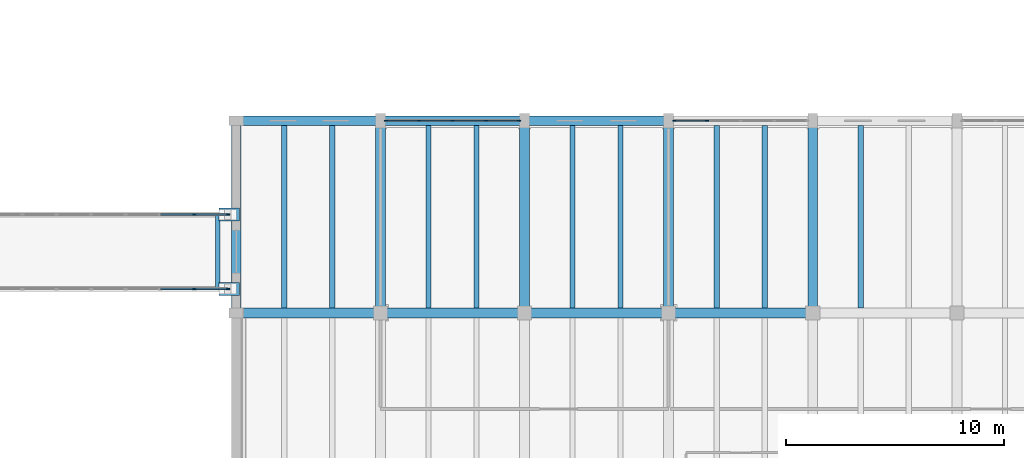
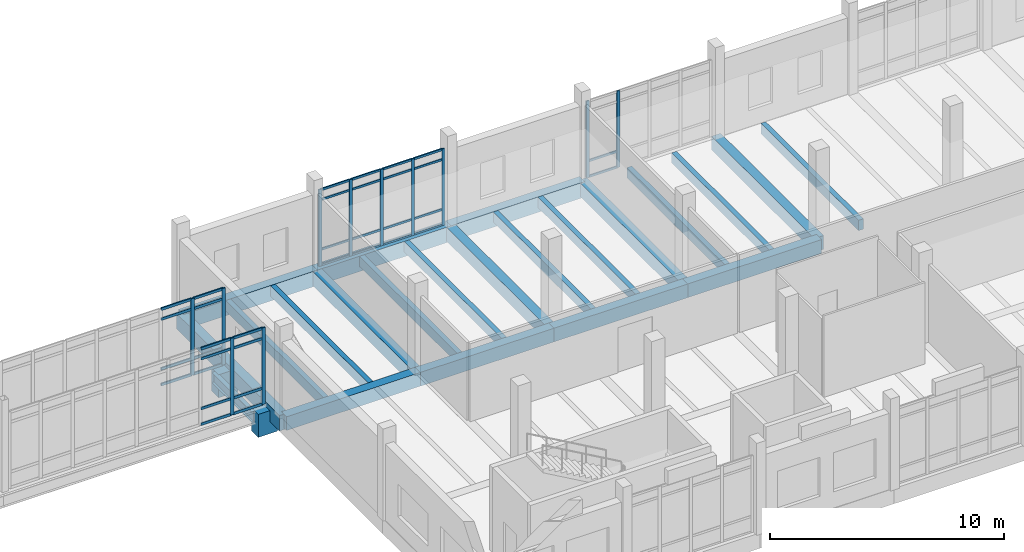
# One storey, part 20 of 101: 45 members, 24 beams, 4 elements without a shape of their own.
"""IFC4 building model written with IfcOpenShell, lengths in metres."""

from ifc_helpers import new_model, si_unit, direction, frame, origin, origin_2d, place, context, subcontext, project, spatial, rectangle, i_section, extrude, material, material_profile, profile_set, type_object, element, aggregate, save


model = new_model("IFC4")

# Units and contexts
model_context = context("Model", 3, precision=1e-05, world=origin(), true_north=direction((0.0, 1.0)))
body_context = subcontext(model_context, "Body", "Model", "MODEL_VIEW")
ifc_project = project(units=[si_unit("LENGTHUNIT", "METRE"), si_unit("AREAUNIT", "SQUARE_METRE"), si_unit("VOLUMEUNIT", "CUBIC_METRE"), si_unit("PLANEANGLEUNIT", "RADIAN"), si_unit("MASSUNIT", "GRAM", prefix="KILO")], contexts=[model_context])

# Site, building, storey
site_placement = place(None, origin())
site = spatial("IfcSite", under=ifc_project, at=site_placement, CompositionType="ELEMENT")
building_placement = place(site_placement, origin())
building = spatial("IfcBuilding", under=site, at=building_placement, Name="Dornvale Research Institute", CompositionType="ELEMENT")
storey_placement = place(building_placement, frame((0.0, 0.0, 10.199951171875)))
storey = spatial("IfcBuildingStorey", under=building, at=storey_placement, Name="L02", CompositionType="ELEMENT", Elevation=10.199951171875)

# Beams
ifc_material_1 = material(Name="Concrete f'c 45 MPa (C35/45)", Category="concrete")
ifc_material_profile_1 = material_profile(ifc_material_1, rectangle(XDim=0.449951171875, YDim=0.715087890625, at=origin_2d()), Name="RC 450x715")
ifc_profile_set_1 = profile_set([ifc_material_profile_1], Name="Concrete f'c 45 MPa (C35/45)")
beam_type_1 = type_object("IfcBeamType", Name="Beam_RC450x715_Lab", PredefinedType="BEAM", material=ifc_profile_set_1)
beam_1_placement = place(storey_placement, frame((99.0, 17.60009765625, -0.357421875), z_axis=(1.0, 0.0, 0.0), x_axis=(0.0, 1.0, 0.0)))
element("IfcBeam", 1, at=beam_1_placement, inside=storey, type_object=beam_type_1, Name="L02 primary girder #722", PredefinedType="BEAM", context=body_context, shape_type="SweptSolid", body=[
    extrude(rectangle(XDim=0.449951171875, YDim=0.715087890625, at=origin_2d()), origin(), (0.0, 0.0, 1.0), 6.60009765625),
])
beam_2_placement = place(storey_placement, frame((105.60009765625, 17.60009765625, -0.357421875), z_axis=(1.0, 0.0, 0.0), x_axis=(0.0, 1.0, 0.0)))
element("IfcBeam", 2, at=beam_2_placement, inside=storey, type_object=beam_type_1, Name="L02 primary girder #723", PredefinedType="BEAM", context=body_context, shape_type="SweptSolid", body=[
    extrude(rectangle(XDim=0.449951171875, YDim=0.715087890625, at=origin_2d()), origin(), (0.0, 0.0, 1.0), 6.599853515625),
])
beam_3_placement = place(storey_placement, frame((112.199951171875, 17.60009765625, -0.357421875), z_axis=(1.0, 0.0, 0.0), x_axis=(0.0, 1.0, 0.0)))
element("IfcBeam", 3, at=beam_3_placement, inside=storey, type_object=beam_type_1, Name="L02 primary girder #724", PredefinedType="BEAM", context=body_context, shape_type="SweptSolid", body=[
    extrude(rectangle(XDim=0.449951171875, YDim=0.715087890625, at=origin_2d()), origin(), (0.0, 0.0, 1.0), 6.60009765625),
])
beam_4_placement = place(storey_placement, frame((118.800048828125, 17.60009765625, -0.357421875), z_axis=(1.0, 0.0, 0.0), x_axis=(0.0, 1.0, 0.0)))
element("IfcBeam", 4, at=beam_4_placement, inside=storey, type_object=beam_type_1, Name="L02 primary girder #725", PredefinedType="BEAM", context=body_context, shape_type="SweptSolid", body=[
    extrude(rectangle(XDim=0.449951171875, YDim=0.715087890625, at=origin_2d()), origin(), (0.0, 0.0, 1.0), 6.599853515625),
])
for number, where, z_axis, x_axis, name in (
    (5, (105.60009765625, 17.60009765625, -0.357421875), (0.0, 1.0, 0.0), (-1.0, 0.0, 0.0), "L02 transverse girder #750"),
    (6, (112.199951171875, 17.60009765625, -0.357421875), (0.0, 1.0, 0.0), (-1.0, 0.0, 0.0), "L02 transverse girder #753"),
    (7, (118.800048828125, 17.60009765625, -0.357421875), (0.0, 1.0, 0.0), (-1.0, 0.0, 0.0), "L02 transverse girder #756"),
    (8, (125.39990234375, 17.60009765625, -0.357421875), (0.0, 1.0, 0.0), (-1.0, 0.0, 0.0), "L02 transverse girder #759"),
):
    element("IfcBeam", number, at=place(storey_placement, frame(where, z_axis=z_axis, x_axis=x_axis)), inside=storey, type_object=beam_type_1, Name=name, PredefinedType="BEAM", context=body_context, shape_type="SweptSolid", body=[
        extrude(rectangle(XDim=0.449951171875, YDim=0.715087890625, at=origin_2d()), origin(), (0.0, 0.0, 1.0), 8.7998046875),
    ])
ifc_material_2 = material(Name="Steel ASTM A992 Grade 50", Category="steel")
ifc_material_profile_2 = material_profile(ifc_material_2, i_section(OverallWidth=0.2099609375, OverallDepth=0.535888671875, WebThickness=0.010986328125, FlangeThickness=0.017333984375, at=origin_2d()), Name="W21X68")
ifc_profile_set_2 = profile_set([ifc_material_profile_2], Name="Steel ASTM A992 Grade 50")
beam_type_2 = type_object("IfcBeamType", Name="Beam_Steel_W21X68", PredefinedType="BEAM", material=ifc_profile_set_2)
beam_5_placement = place(storey_placement, frame((98.14990234375, 18.699951171875, -0.488037109375), z_axis=(0.0, 1.0, 0.0), x_axis=(-1.0, 0.0, 0.0)))
element("IfcBeam", 9, at=beam_5_placement, inside=storey, type_object=beam_type_2, Name="L02 BR-6 east cross beam #2026", PredefinedType="BEAM", context=body_context, shape_type="SweptSolid", body=[
    extrude(i_section(OverallWidth=0.2099609375, OverallDepth=0.535888671875, WebThickness=0.010986328125, FlangeThickness=0.017333984375, at=origin_2d()), origin(), (0.0, 0.0, 1.0), 3.400146484375),
])
ifc_material_3 = material(Name="Concrete f'c 45 MPa (C35/45)", Category="concrete")
ifc_material_profile_3 = material_profile(ifc_material_3, rectangle(XDim=0.239990234375, YDim=0.534912109375, at=origin_2d()), Name="RC 240x535")
ifc_profile_set_3 = profile_set([ifc_material_profile_3], Name="Concrete f'c 45 MPa (C35/45)")
beam_type_3 = type_object("IfcBeamType", Name="Joist_RC240x535_Waffle", PredefinedType="JOIST", material=ifc_profile_set_3)
for number, where, z_axis, x_axis, name in (
    (10, (101.199951171875, 17.824951171875, -0.267333984375), (0.0, 1.0, 0.0), (-1.0, 0.0, 0.0), "L02 laboratory waffle joist #355"),
    (11, (103.39990234375, 17.824951171875, -0.267333984375), (0.0, 1.0, 0.0), (-1.0, 0.0, 0.0), "L02 laboratory waffle joist #356"),
    (12, (107.800048828125, 17.824951171875, -0.267333984375), (0.0, 1.0, 0.0), (-1.0, 0.0, 0.0), "L02 laboratory waffle joist #359"),
    (13, (110.0, 17.824951171875, -0.267333984375), (0.0, 1.0, 0.0), (-1.0, 0.0, 0.0), "L02 laboratory waffle joist #360"),
    (14, (114.39990234375, 17.824951171875, -0.267333984375), (0.0, 1.0, 0.0), (-1.0, 0.0, 0.0), "L02 laboratory waffle joist #363"),
    (15, (116.60009765625, 17.824951171875, -0.267333984375), (0.0, 1.0, 0.0), (-1.0, 0.0, 0.0), "L02 laboratory waffle joist #364"),
    (16, (121.0, 17.824951171875, -0.267333984375), (0.0, 1.0, 0.0), (-1.0, 0.0, 0.0), "L02 laboratory waffle joist #369"),
    (17, (123.199951171875, 17.824951171875, -0.267333984375), (0.0, 1.0, 0.0), (-1.0, 0.0, 0.0), "L02 laboratory waffle joist #370"),
    (18, (127.60009765625, 17.824951171875, -0.267333984375), (0.0, 1.0, 0.0), (-1.0, 0.0, 0.0), "L02 laboratory waffle joist #375"),
):
    element("IfcBeam", number, at=place(storey_placement, frame(where, z_axis=z_axis, x_axis=x_axis)), inside=storey, type_object=beam_type_3, Name=name, PredefinedType="JOIST", context=body_context, shape_type="SweptSolid", body=[
        extrude(rectangle(XDim=0.239990234375, YDim=0.534912109375, at=origin_2d()), origin(), (0.0, 0.0, 1.0), 8.35009765625),
    ])

# Curtain wall, members
ifc_material_4 = material(Name="Low-E Argon Double Insulating Glazing Unit", Category="glass")
curtain_wall_type_1 = type_object("IfcCurtainWallType", Name="UnitisedCurtainWall_V2_12600x4000", PredefinedType="USERDEFINED", material=ifc_material_4)
curtain_wall_1_placement = place(storey_placement, origin())
curtain_wall_1 = element("IfcCurtainWall", 19, at=curtain_wall_1_placement, inside=storey, type_object=curtain_wall_type_1, Name="L02 V2 unitised curtain wall CW-41 #229", ObjectType="UNITISED CURTAIN WALL", PredefinedType="USERDEFINED")
ifc_material_5 = material(Name="Anodized Aluminum AA 6063-T6 Thermally Broken Frame", Category="aluminium")
ifc_material_profile_4 = material_profile(ifc_material_5, rectangle(XDim=0.06494140625, YDim=0.1650390625, at=origin_2d()), Name="ALU MULLION 65x165")
ifc_profile_set_4 = profile_set([ifc_material_profile_4], Name="Anodized Aluminum AA 6063-T6 Thermally Broken Frame")
member_type_1 = type_object("IfcMemberType", Name="Mullion_Atrium_65x165", PredefinedType="MULLION", material=ifc_profile_set_4)
member_1_placement = place(storey_placement, frame((97.074951171875, 22.10009765625, 0.0), z_axis=(0.0, 0.0, 1.0), x_axis=(0.0, 1.0, 0.0)))
member_1 = element("IfcMember", 20, at=member_1_placement, type_object=member_type_1, Name="CW-41 mullion 8", PredefinedType="MULLION", context=body_context, shape_type="SweptSolid", body=[
    extrude(rectangle(XDim=0.06494140625, YDim=0.1650390625, at=origin_2d()), origin(), (0.0, 0.0, 1.0), 4.0),
])
member_2_placement = place(storey_placement, frame((98.617431640625, 22.10009765625, 0.0), z_axis=(0.0, 0.0, 1.0), x_axis=(0.0, 1.0, 0.0)))
member_2 = element("IfcMember", 21, at=member_2_placement, type_object=member_type_1, Name="CW-41 mullion 9", PredefinedType="MULLION", context=body_context, shape_type="SweptSolid", body=[
    extrude(rectangle(XDim=0.06494140625, YDim=0.1650390625, at=origin_2d()), origin(), (0.0, 0.0, 1.0), 4.0),
])

curtain_wall_2_placement = place(storey_placement, origin())
curtain_wall_2 = element("IfcCurtainWall", 22, at=curtain_wall_2_placement, inside=storey, type_object=curtain_wall_type_1, Name="L02 V2 unitised curtain wall CW-41 #230", ObjectType="UNITISED CURTAIN WALL", PredefinedType="USERDEFINED")
member_3_placement = place(storey_placement, frame((98.617431640625, 18.699951171875, 0.0), z_axis=(0.0, 0.0, 1.0), x_axis=(0.0, -1.0, 0.0)))
member_3 = element("IfcMember", 23, at=member_3_placement, type_object=member_type_1, Name="CW-41 mullion 1", PredefinedType="MULLION", context=body_context, shape_type="SweptSolid", body=[
    extrude(rectangle(XDim=0.06494140625, YDim=0.1650390625, at=origin_2d()), origin(), (0.0, 0.0, 1.0), 4.0),
])
member_4_placement = place(storey_placement, frame((97.074951171875, 18.699951171875, 0.0), z_axis=(0.0, 0.0, 1.0), x_axis=(0.0, -1.0, 0.0)))
member_4 = element("IfcMember", 24, at=member_4_placement, type_object=member_type_1, Name="CW-41 mullion 2", PredefinedType="MULLION", context=body_context, shape_type="SweptSolid", body=[
    extrude(rectangle(XDim=0.06494140625, YDim=0.1650390625, at=origin_2d()), origin(), (0.0, 0.0, 1.0), 4.0),
])

ifc_material_6 = material(Name="Low-E Argon Double Insulating Glazing Unit", Category="glass")
curtain_wall_type_2 = type_object("IfcCurtainWallType", Name="UnitisedCurtainWall_V3_6150x4000", PredefinedType="USERDEFINED", material=ifc_material_6)
curtain_wall_3_placement = place(storey_placement, origin())
curtain_wall_3 = element("IfcCurtainWall", 25, at=curtain_wall_3_placement, inside=storey, type_object=curtain_wall_type_2, Name="L02 V3 unitised curtain wall CW-06 #42", ObjectType="UNITISED CURTAIN WALL", PredefinedType="USERDEFINED")
ifc_material_7 = material(Name="Anodized Aluminum AA 6063-T6 Thermally Broken Frame", Category="aluminium")
ifc_material_profile_5 = material_profile(ifc_material_7, rectangle(XDim=0.06494140625, YDim=0.14990234375, at=origin_2d()), Name="ALU MULLION 65x150")
ifc_profile_set_5 = profile_set([ifc_material_profile_5], Name="Anodized Aluminum AA 6063-T6 Thermally Broken Frame")
member_type_2 = type_object("IfcMemberType", Name="Mullion_CW_65x150", PredefinedType="MULLION", material=ifc_profile_set_5)
member_5_placement = place(storey_placement, frame((105.857421875, 26.39990234375, 0.0), z_axis=(0.0, 0.0, 1.0), x_axis=(0.0, 1.0, 0.0)))
member_5 = element("IfcMember", 26, at=member_5_placement, type_object=member_type_2, Name="CW-06 mullion 1", PredefinedType="MULLION", context=body_context, shape_type="SweptSolid", body=[
    extrude(rectangle(XDim=0.06494140625, YDim=0.14990234375, at=origin_2d()), origin(), (0.0, 0.0, 1.0), 4.0),
])
member_6_placement = place(storey_placement, frame((107.362548828125, 26.39990234375, 0.0), z_axis=(0.0, 0.0, 1.0), x_axis=(0.0, 1.0, 0.0)))
member_6 = element("IfcMember", 27, at=member_6_placement, type_object=member_type_2, Name="CW-06 mullion 2", PredefinedType="MULLION", context=body_context, shape_type="SweptSolid", body=[
    extrude(rectangle(XDim=0.06494140625, YDim=0.14990234375, at=origin_2d()), origin(), (0.0, 0.0, 1.0), 4.0),
])
member_7_placement = place(storey_placement, frame((108.89990234375, 26.39990234375, 0.0), z_axis=(0.0, 0.0, 1.0), x_axis=(0.0, 1.0, 0.0)))
member_7 = element("IfcMember", 28, at=member_7_placement, type_object=member_type_2, Name="CW-06 mullion 3", PredefinedType="MULLION", context=body_context, shape_type="SweptSolid", body=[
    extrude(rectangle(XDim=0.06494140625, YDim=0.14990234375, at=origin_2d()), origin(), (0.0, 0.0, 1.0), 4.0),
])
member_8_placement = place(storey_placement, frame((110.4375, 26.39990234375, 0.0), z_axis=(0.0, 0.0, 1.0), x_axis=(0.0, 1.0, 0.0)))
member_8 = element("IfcMember", 29, at=member_8_placement, type_object=member_type_2, Name="CW-06 mullion 4", PredefinedType="MULLION", context=body_context, shape_type="SweptSolid", body=[
    extrude(rectangle(XDim=0.06494140625, YDim=0.14990234375, at=origin_2d()), origin(), (0.0, 0.0, 1.0), 4.0),
])
member_9_placement = place(storey_placement, frame((111.9423828125, 26.39990234375, 0.0), z_axis=(0.0, 0.0, 1.0), x_axis=(0.0, 1.0, 0.0)))
member_9 = element("IfcMember", 30, at=member_9_placement, type_object=member_type_2, Name="CW-06 mullion 5", PredefinedType="MULLION", context=body_context, shape_type="SweptSolid", body=[
    extrude(rectangle(XDim=0.06494140625, YDim=0.14990234375, at=origin_2d()), origin(), (0.0, 0.0, 1.0), 4.0),
])

curtain_wall_4_placement = place(storey_placement, origin())
curtain_wall_4 = element("IfcCurtainWall", 31, at=curtain_wall_4_placement, inside=storey, type_object=curtain_wall_type_2, Name="L02 V3 unitised curtain wall CW-06 #43", ObjectType="UNITISED CURTAIN WALL", PredefinedType="USERDEFINED")
member_10_placement = place(storey_placement, frame((119.0576171875, 26.39990234375, 0.0), z_axis=(0.0, 0.0, 1.0), x_axis=(0.0, 1.0, 0.0)))
member_10 = element("IfcMember", 32, at=member_10_placement, type_object=member_type_2, Name="CW-06 mullion 1", PredefinedType="MULLION", context=body_context, shape_type="SweptSolid", body=[
    extrude(rectangle(XDim=0.06494140625, YDim=0.14990234375, at=origin_2d()), origin(), (0.0, 0.0, 1.0), 4.0),
])
member_11_placement = place(storey_placement, frame((120.5625, 26.39990234375, 0.0), z_axis=(0.0, 0.0, 1.0), x_axis=(0.0, 1.0, 0.0)))
member_11 = element("IfcMember", 33, at=member_11_placement, type_object=member_type_2, Name="CW-06 mullion 2", PredefinedType="MULLION", context=body_context, shape_type="SweptSolid", body=[
    extrude(rectangle(XDim=0.06494140625, YDim=0.14990234375, at=origin_2d()), origin(), (0.0, 0.0, 1.0), 4.0),
])

# Beams
ifc_material_8 = material(Name="Concrete f'c 45 MPa (C35/45)", Category="concrete")
ifc_material_profile_6 = material_profile(ifc_material_8, rectangle(XDim=0.449951171875, YDim=0.800048828125, at=origin_2d()), Name="RC 450x800")
ifc_profile_set_6 = profile_set([ifc_material_profile_6], Name="Concrete f'c 45 MPa (C35/45)")
beam_type_4 = type_object("IfcBeamType", Name="Spandrel_RC450x800_Ext", PredefinedType="SPANDREL", material=ifc_profile_set_6)
beam_6_placement = place(storey_placement, frame((99.0, 26.39990234375, -0.39990234375), z_axis=(1.0, 0.0, 0.0), x_axis=(0.0, 1.0, 0.0)))
element("IfcBeam", 34, at=beam_6_placement, inside=storey, type_object=beam_type_4, Name="L02 perimeter spandrel #734", PredefinedType="SPANDREL", context=body_context, shape_type="SweptSolid", body=[
    extrude(rectangle(XDim=0.449951171875, YDim=0.800048828125, at=origin_2d()), origin(), (0.0, 0.0, 1.0), 6.60009765625),
])
beam_7_placement = place(storey_placement, frame((105.60009765625, 26.39990234375, -0.39990234375), z_axis=(1.0, 0.0, 0.0), x_axis=(0.0, 1.0, 0.0)))
element("IfcBeam", 35, at=beam_7_placement, inside=storey, type_object=beam_type_4, Name="L02 perimeter spandrel #735", PredefinedType="SPANDREL", context=body_context, shape_type="SweptSolid", body=[
    extrude(rectangle(XDim=0.449951171875, YDim=0.800048828125, at=origin_2d()), origin(), (0.0, 0.0, 1.0), 6.599853515625),
])
beam_8_placement = place(storey_placement, frame((112.199951171875, 26.39990234375, -0.39990234375), z_axis=(1.0, 0.0, 0.0), x_axis=(0.0, 1.0, 0.0)))
element("IfcBeam", 36, at=beam_8_placement, inside=storey, type_object=beam_type_4, Name="L02 perimeter spandrel #736", PredefinedType="SPANDREL", context=body_context, shape_type="SweptSolid", body=[
    extrude(rectangle(XDim=0.449951171875, YDim=0.800048828125, at=origin_2d()), origin(), (0.0, 0.0, 1.0), 6.60009765625),
])
beam_9_placement = place(storey_placement, frame((99.0, 17.60009765625, -0.39990234375), z_axis=(0.0, 1.0, 0.0), x_axis=(-1.0, 0.0, 0.0)))
element("IfcBeam", 37, at=beam_9_placement, inside=storey, type_object=beam_type_4, Name="L02 perimeter spandrel #748", PredefinedType="SPANDREL", context=body_context, shape_type="SweptSolid", body=[
    extrude(rectangle(XDim=0.449951171875, YDim=0.800048828125, at=origin_2d()), origin(), (0.0, 0.0, 1.0), 8.7998046875),
])
ifc_material_9 = material(Name="Concrete f'c 50 MPa (C40/50)", Category="concrete")
ifc_material_profile_7 = material_profile(ifc_material_9, rectangle(XDim=0.60009765625, YDim=1.199951171875, at=origin_2d()), Name="RC 600x1200")
ifc_profile_set_7 = profile_set([ifc_material_profile_7], Name="Concrete f'c 50 MPa (C40/50)")
beam_type_5 = type_object("IfcBeamType", Name="TBeam_RC600x1200_Tie", PredefinedType="T_BEAM", material=ifc_profile_set_7)
for number, where, z_axis, x_axis, name in (
    (38, (98.199951171875, 18.699951171875, -0.820068359375), (1.0, 0.0, 0.0), (0.0, 1.0, 0.0), "L02 BR-6 800mm sliding corbel seat #2026"),
    (39, (98.199951171875, 22.10009765625, -0.820068359375), (1.0, 0.0, 0.0), (0.0, 1.0, 0.0), "L02 BR-6 800mm sliding corbel seat #2026"),
):
    element("IfcBeam", number, at=place(storey_placement, frame(where, z_axis=z_axis, x_axis=x_axis)), inside=storey, type_object=beam_type_5, Name=name, PredefinedType="T_BEAM", context=body_context, shape_type="SweptSolid", body=[
        extrude(rectangle(XDim=0.60009765625, YDim=1.199951171875, at=origin_2d()), origin(), (0.0, 0.0, 1.0), 0.949951171875),
    ])

# Member
ifc_material_10 = material(Name="Anodized Aluminum AA 6063-T6 Thermally Broken Frame", Category="aluminium")
ifc_material_profile_8 = material_profile(ifc_material_10, rectangle(XDim=0.06494140625, YDim=0.110107421875, at=origin_2d()), Name="ALU TRANSOM 65x110")
ifc_profile_set_8 = profile_set([ifc_material_profile_8], Name="Anodized Aluminum AA 6063-T6 Thermally Broken Frame")
member_type_3 = type_object("IfcMemberType", Name="Transom_CW_65x110", PredefinedType="USERDEFINED", material=ifc_profile_set_8)
member_12_placement = place(storey_placement, frame((105.889892578125, 26.39990234375, 0.032470703125), z_axis=(1.0, 0.0, 0.0), x_axis=(0.0, 1.0, 0.0)))
member_12 = element("IfcMember", 40, at=member_12_placement, type_object=member_type_3, Name="CW-06 transom 1.1", ObjectType="TRANSOM", PredefinedType="USERDEFINED", context=body_context, shape_type="SweptSolid", body=[
    extrude(rectangle(XDim=0.06494140625, YDim=0.110107421875, at=origin_2d()), origin(), (0.0, 0.0, 1.0), 1.440185546875),
])

member_13_placement = place(storey_placement, frame((105.889892578125, 26.39990234375, 0.85009765625), z_axis=(1.0, 0.0, 0.0), x_axis=(0.0, 1.0, 0.0)))
member_13 = element("IfcMember", 41, at=member_13_placement, type_object=member_type_3, Name="CW-06 transom 1.2", ObjectType="TRANSOM", PredefinedType="USERDEFINED", context=body_context, shape_type="SweptSolid", body=[
    extrude(rectangle(XDim=0.06494140625, YDim=0.110107421875, at=origin_2d()), origin(), (0.0, 0.0, 1.0), 1.440185546875),
])

member_14_placement = place(storey_placement, frame((105.889892578125, 26.39990234375, 3.449951171875), z_axis=(1.0, 0.0, 0.0), x_axis=(0.0, 1.0, 0.0)))
member_14 = element("IfcMember", 42, at=member_14_placement, type_object=member_type_3, Name="CW-06 transom 1.3", ObjectType="TRANSOM", PredefinedType="USERDEFINED", context=body_context, shape_type="SweptSolid", body=[
    extrude(rectangle(XDim=0.06494140625, YDim=0.110107421875, at=origin_2d()), origin(), (0.0, 0.0, 1.0), 1.440185546875),
])

member_15_placement = place(storey_placement, frame((105.889892578125, 26.39990234375, 3.967529296875), z_axis=(1.0, 0.0, 0.0), x_axis=(0.0, 1.0, 0.0)))
member_15 = element("IfcMember", 43, at=member_15_placement, type_object=member_type_3, Name="CW-06 transom 1.4", ObjectType="TRANSOM", PredefinedType="USERDEFINED", context=body_context, shape_type="SweptSolid", body=[
    extrude(rectangle(XDim=0.06494140625, YDim=0.110107421875, at=origin_2d()), origin(), (0.0, 0.0, 1.0), 1.440185546875),
])

member_16_placement = place(storey_placement, frame((107.39501953125, 26.39990234375, 0.032470703125), z_axis=(1.0, 0.0, 0.0), x_axis=(0.0, 1.0, 0.0)))
member_16 = element("IfcMember", 44, at=member_16_placement, type_object=member_type_3, Name="CW-06 transom 2.1", ObjectType="TRANSOM", PredefinedType="USERDEFINED", context=body_context, shape_type="SweptSolid", body=[
    extrude(rectangle(XDim=0.06494140625, YDim=0.110107421875, at=origin_2d()), origin(), (0.0, 0.0, 1.0), 1.472412109375),
])

member_17_placement = place(storey_placement, frame((107.39501953125, 26.39990234375, 0.85009765625), z_axis=(1.0, 0.0, 0.0), x_axis=(0.0, 1.0, 0.0)))
member_17 = element("IfcMember", 45, at=member_17_placement, type_object=member_type_3, Name="CW-06 transom 2.2", ObjectType="TRANSOM", PredefinedType="USERDEFINED", context=body_context, shape_type="SweptSolid", body=[
    extrude(rectangle(XDim=0.06494140625, YDim=0.110107421875, at=origin_2d()), origin(), (0.0, 0.0, 1.0), 1.472412109375),
])

member_18_placement = place(storey_placement, frame((107.39501953125, 26.39990234375, 3.449951171875), z_axis=(1.0, 0.0, 0.0), x_axis=(0.0, 1.0, 0.0)))
member_18 = element("IfcMember", 46, at=member_18_placement, type_object=member_type_3, Name="CW-06 transom 2.3", ObjectType="TRANSOM", PredefinedType="USERDEFINED", context=body_context, shape_type="SweptSolid", body=[
    extrude(rectangle(XDim=0.06494140625, YDim=0.110107421875, at=origin_2d()), origin(), (0.0, 0.0, 1.0), 1.472412109375),
])

member_19_placement = place(storey_placement, frame((107.39501953125, 26.39990234375, 3.967529296875), z_axis=(1.0, 0.0, 0.0), x_axis=(0.0, 1.0, 0.0)))
member_19 = element("IfcMember", 47, at=member_19_placement, type_object=member_type_3, Name="CW-06 transom 2.4", ObjectType="TRANSOM", PredefinedType="USERDEFINED", context=body_context, shape_type="SweptSolid", body=[
    extrude(rectangle(XDim=0.06494140625, YDim=0.110107421875, at=origin_2d()), origin(), (0.0, 0.0, 1.0), 1.472412109375),
])

member_20_placement = place(storey_placement, frame((108.9326171875, 26.39990234375, 0.032470703125), z_axis=(1.0, 0.0, 0.0), x_axis=(0.0, 1.0, 0.0)))
member_20 = element("IfcMember", 48, at=member_20_placement, type_object=member_type_3, Name="CW-06 transom 3.1", ObjectType="TRANSOM", PredefinedType="USERDEFINED", context=body_context, shape_type="SweptSolid", body=[
    extrude(rectangle(XDim=0.06494140625, YDim=0.110107421875, at=origin_2d()), origin(), (0.0, 0.0, 1.0), 1.472412109375),
])

member_21_placement = place(storey_placement, frame((108.9326171875, 26.39990234375, 0.85009765625), z_axis=(1.0, 0.0, 0.0), x_axis=(0.0, 1.0, 0.0)))
member_21 = element("IfcMember", 49, at=member_21_placement, type_object=member_type_3, Name="CW-06 transom 3.2", ObjectType="TRANSOM", PredefinedType="USERDEFINED", context=body_context, shape_type="SweptSolid", body=[
    extrude(rectangle(XDim=0.06494140625, YDim=0.110107421875, at=origin_2d()), origin(), (0.0, 0.0, 1.0), 1.472412109375),
])

member_22_placement = place(storey_placement, frame((108.9326171875, 26.39990234375, 3.449951171875), z_axis=(1.0, 0.0, 0.0), x_axis=(0.0, 1.0, 0.0)))
member_22 = element("IfcMember", 50, at=member_22_placement, type_object=member_type_3, Name="CW-06 transom 3.3", ObjectType="TRANSOM", PredefinedType="USERDEFINED", context=body_context, shape_type="SweptSolid", body=[
    extrude(rectangle(XDim=0.06494140625, YDim=0.110107421875, at=origin_2d()), origin(), (0.0, 0.0, 1.0), 1.472412109375),
])

member_23_placement = place(storey_placement, frame((108.9326171875, 26.39990234375, 3.967529296875), z_axis=(1.0, 0.0, 0.0), x_axis=(0.0, 1.0, 0.0)))
member_23 = element("IfcMember", 51, at=member_23_placement, type_object=member_type_3, Name="CW-06 transom 3.4", ObjectType="TRANSOM", PredefinedType="USERDEFINED", context=body_context, shape_type="SweptSolid", body=[
    extrude(rectangle(XDim=0.06494140625, YDim=0.110107421875, at=origin_2d()), origin(), (0.0, 0.0, 1.0), 1.472412109375),
])

member_24_placement = place(storey_placement, frame((110.469970703125, 26.39990234375, 0.032470703125), z_axis=(1.0, 0.0, 0.0), x_axis=(0.0, 1.0, 0.0)))
member_24 = element("IfcMember", 52, at=member_24_placement, type_object=member_type_3, Name="CW-06 transom 4.1", ObjectType="TRANSOM", PredefinedType="USERDEFINED", context=body_context, shape_type="SweptSolid", body=[
    extrude(rectangle(XDim=0.06494140625, YDim=0.110107421875, at=origin_2d()), origin(), (0.0, 0.0, 1.0), 1.43994140625),
])

member_25_placement = place(storey_placement, frame((110.469970703125, 26.39990234375, 0.85009765625), z_axis=(1.0, 0.0, 0.0), x_axis=(0.0, 1.0, 0.0)))
member_25 = element("IfcMember", 53, at=member_25_placement, type_object=member_type_3, Name="CW-06 transom 4.2", ObjectType="TRANSOM", PredefinedType="USERDEFINED", context=body_context, shape_type="SweptSolid", body=[
    extrude(rectangle(XDim=0.06494140625, YDim=0.110107421875, at=origin_2d()), origin(), (0.0, 0.0, 1.0), 1.43994140625),
])

member_26_placement = place(storey_placement, frame((110.469970703125, 26.39990234375, 3.449951171875), z_axis=(1.0, 0.0, 0.0), x_axis=(0.0, 1.0, 0.0)))
member_26 = element("IfcMember", 54, at=member_26_placement, type_object=member_type_3, Name="CW-06 transom 4.3", ObjectType="TRANSOM", PredefinedType="USERDEFINED", context=body_context, shape_type="SweptSolid", body=[
    extrude(rectangle(XDim=0.06494140625, YDim=0.110107421875, at=origin_2d()), origin(), (0.0, 0.0, 1.0), 1.43994140625),
])

member_27_placement = place(storey_placement, frame((110.469970703125, 26.39990234375, 3.967529296875), z_axis=(1.0, 0.0, 0.0), x_axis=(0.0, 1.0, 0.0)))
member_27 = element("IfcMember", 55, at=member_27_placement, type_object=member_type_3, Name="CW-06 transom 4.4", ObjectType="TRANSOM", PredefinedType="USERDEFINED", context=body_context, shape_type="SweptSolid", body=[
    extrude(rectangle(XDim=0.06494140625, YDim=0.110107421875, at=origin_2d()), origin(), (0.0, 0.0, 1.0), 1.43994140625),
])

aggregate(curtain_wall_3, [member_5, member_6, member_7, member_8, member_9, member_12, member_13, member_14, member_15, member_16, member_17, member_18, member_19, member_20, member_21, member_22, member_23, member_24, member_25, member_26, member_27])

member_28_placement = place(storey_placement, frame((119.090087890625, 26.39990234375, 0.032470703125), z_axis=(1.0, 0.0, 0.0), x_axis=(0.0, 1.0, 0.0)))
member_28 = element("IfcMember", 56, at=member_28_placement, type_object=member_type_3, Name="CW-06 transom 1.1", ObjectType="TRANSOM", PredefinedType="USERDEFINED", context=body_context, shape_type="SweptSolid", body=[
    extrude(rectangle(XDim=0.06494140625, YDim=0.110107421875, at=origin_2d()), origin(), (0.0, 0.0, 1.0), 1.43994140625),
])

member_29_placement = place(storey_placement, frame((119.090087890625, 26.39990234375, 0.85009765625), z_axis=(1.0, 0.0, 0.0), x_axis=(0.0, 1.0, 0.0)))
member_29 = element("IfcMember", 57, at=member_29_placement, type_object=member_type_3, Name="CW-06 transom 1.2", ObjectType="TRANSOM", PredefinedType="USERDEFINED", context=body_context, shape_type="SweptSolid", body=[
    extrude(rectangle(XDim=0.06494140625, YDim=0.110107421875, at=origin_2d()), origin(), (0.0, 0.0, 1.0), 1.43994140625),
])

aggregate(curtain_wall_4, [member_10, member_11, member_28, member_29])

ifc_material_11 = material(Name="Anodized Aluminum AA 6063-T6 Thermally Broken Frame", Category="aluminium")
ifc_material_profile_9 = material_profile(ifc_material_11, rectangle(XDim=0.06494140625, YDim=0.135009765625, at=origin_2d()), Name="ALU TRANSOM 65x135")
ifc_profile_set_9 = profile_set([ifc_material_profile_9], Name="Anodized Aluminum AA 6063-T6 Thermally Broken Frame")
member_type_4 = type_object("IfcMemberType", Name="Transom_CW_65x135", PredefinedType="USERDEFINED", material=ifc_profile_set_9)
member_30_placement = place(storey_placement, frame((95.532470703125, 22.10009765625, 0.032470703125), z_axis=(1.0, 0.0, 0.0), x_axis=(0.0, 1.0, 0.0)))
member_30 = element("IfcMember", 58, at=member_30_placement, type_object=member_type_4, Name="CW-41 transom 7.1", ObjectType="TRANSOM", PredefinedType="USERDEFINED", context=body_context, shape_type="SweptSolid", body=[
    extrude(rectangle(XDim=0.06494140625, YDim=0.135009765625, at=origin_2d()), origin(), (0.0, 0.0, 1.0), 1.510009765625),
])

member_31_placement = place(storey_placement, frame((95.532470703125, 22.10009765625, 0.85009765625), z_axis=(1.0, 0.0, 0.0), x_axis=(0.0, 1.0, 0.0)))
member_31 = element("IfcMember", 59, at=member_31_placement, type_object=member_type_4, Name="CW-41 transom 7.2", ObjectType="TRANSOM", PredefinedType="USERDEFINED", context=body_context, shape_type="SweptSolid", body=[
    extrude(rectangle(XDim=0.06494140625, YDim=0.135009765625, at=origin_2d()), origin(), (0.0, 0.0, 1.0), 1.510009765625),
])

member_32_placement = place(storey_placement, frame((95.532470703125, 22.10009765625, 3.449951171875), z_axis=(1.0, 0.0, 0.0), x_axis=(0.0, 1.0, 0.0)))
member_32 = element("IfcMember", 60, at=member_32_placement, type_object=member_type_4, Name="CW-41 transom 7.3", ObjectType="TRANSOM", PredefinedType="USERDEFINED", context=body_context, shape_type="SweptSolid", body=[
    extrude(rectangle(XDim=0.06494140625, YDim=0.135009765625, at=origin_2d()), origin(), (0.0, 0.0, 1.0), 1.510009765625),
])

member_33_placement = place(storey_placement, frame((95.532470703125, 22.10009765625, 3.967529296875), z_axis=(1.0, 0.0, 0.0), x_axis=(0.0, 1.0, 0.0)))
member_33 = element("IfcMember", 61, at=member_33_placement, type_object=member_type_4, Name="CW-41 transom 7.4", ObjectType="TRANSOM", PredefinedType="USERDEFINED", context=body_context, shape_type="SweptSolid", body=[
    extrude(rectangle(XDim=0.06494140625, YDim=0.135009765625, at=origin_2d()), origin(), (0.0, 0.0, 1.0), 1.510009765625),
])

member_34_placement = place(storey_placement, frame((97.107421875, 22.10009765625, 0.032470703125), z_axis=(1.0, 0.0, 0.0), x_axis=(0.0, 1.0, 0.0)))
member_34 = element("IfcMember", 62, at=member_34_placement, type_object=member_type_4, Name="CW-41 transom 8.1", ObjectType="TRANSOM", PredefinedType="USERDEFINED", context=body_context, shape_type="SweptSolid", body=[
    extrude(rectangle(XDim=0.06494140625, YDim=0.135009765625, at=origin_2d()), origin(), (0.0, 0.0, 1.0), 1.4775390625),
])

member_35_placement = place(storey_placement, frame((97.107421875, 22.10009765625, 0.85009765625), z_axis=(1.0, 0.0, 0.0), x_axis=(0.0, 1.0, 0.0)))
member_35 = element("IfcMember", 63, at=member_35_placement, type_object=member_type_4, Name="CW-41 transom 8.2", ObjectType="TRANSOM", PredefinedType="USERDEFINED", context=body_context, shape_type="SweptSolid", body=[
    extrude(rectangle(XDim=0.06494140625, YDim=0.135009765625, at=origin_2d()), origin(), (0.0, 0.0, 1.0), 1.4775390625),
])

member_36_placement = place(storey_placement, frame((97.107421875, 22.10009765625, 3.449951171875), z_axis=(1.0, 0.0, 0.0), x_axis=(0.0, 1.0, 0.0)))
member_36 = element("IfcMember", 64, at=member_36_placement, type_object=member_type_4, Name="CW-41 transom 8.3", ObjectType="TRANSOM", PredefinedType="USERDEFINED", context=body_context, shape_type="SweptSolid", body=[
    extrude(rectangle(XDim=0.06494140625, YDim=0.135009765625, at=origin_2d()), origin(), (0.0, 0.0, 1.0), 1.4775390625),
])

member_37_placement = place(storey_placement, frame((97.107421875, 22.10009765625, 3.967529296875), z_axis=(1.0, 0.0, 0.0), x_axis=(0.0, 1.0, 0.0)))
member_37 = element("IfcMember", 65, at=member_37_placement, type_object=member_type_4, Name="CW-41 transom 8.4", ObjectType="TRANSOM", PredefinedType="USERDEFINED", context=body_context, shape_type="SweptSolid", body=[
    extrude(rectangle(XDim=0.06494140625, YDim=0.135009765625, at=origin_2d()), origin(), (0.0, 0.0, 1.0), 1.4775390625),
])

aggregate(curtain_wall_1, [member_1, member_2, member_30, member_31, member_32, member_33, member_34, member_35, member_36, member_37])

member_38_placement = place(storey_placement, frame((98.5849609375, 18.699951171875, 0.032470703125), z_axis=(-1.0, 0.0, 0.0), x_axis=(0.0, -1.0, 0.0)))
member_38 = element("IfcMember", 66, at=member_38_placement, type_object=member_type_4, Name="CW-41 transom 1.1", ObjectType="TRANSOM", PredefinedType="USERDEFINED", context=body_context, shape_type="SweptSolid", body=[
    extrude(rectangle(XDim=0.06494140625, YDim=0.135009765625, at=origin_2d()), origin(), (0.0, 0.0, 1.0), 1.4775390625),
])

member_39_placement = place(storey_placement, frame((98.5849609375, 18.699951171875, 0.85009765625), z_axis=(-1.0, 0.0, 0.0), x_axis=(0.0, -1.0, 0.0)))
member_39 = element("IfcMember", 67, at=member_39_placement, type_object=member_type_4, Name="CW-41 transom 1.2", ObjectType="TRANSOM", PredefinedType="USERDEFINED", context=body_context, shape_type="SweptSolid", body=[
    extrude(rectangle(XDim=0.06494140625, YDim=0.135009765625, at=origin_2d()), origin(), (0.0, 0.0, 1.0), 1.4775390625),
])

member_40_placement = place(storey_placement, frame((98.5849609375, 18.699951171875, 3.449951171875), z_axis=(-1.0, 0.0, 0.0), x_axis=(0.0, -1.0, 0.0)))
member_40 = element("IfcMember", 68, at=member_40_placement, type_object=member_type_4, Name="CW-41 transom 1.3", ObjectType="TRANSOM", PredefinedType="USERDEFINED", context=body_context, shape_type="SweptSolid", body=[
    extrude(rectangle(XDim=0.06494140625, YDim=0.135009765625, at=origin_2d()), origin(), (0.0, 0.0, 1.0), 1.4775390625),
])

member_41_placement = place(storey_placement, frame((98.5849609375, 18.699951171875, 3.967529296875), z_axis=(-1.0, 0.0, 0.0), x_axis=(0.0, -1.0, 0.0)))
member_41 = element("IfcMember", 69, at=member_41_placement, type_object=member_type_4, Name="CW-41 transom 1.4", ObjectType="TRANSOM", PredefinedType="USERDEFINED", context=body_context, shape_type="SweptSolid", body=[
    extrude(rectangle(XDim=0.06494140625, YDim=0.135009765625, at=origin_2d()), origin(), (0.0, 0.0, 1.0), 1.4775390625),
])

member_42_placement = place(storey_placement, frame((97.04248046875, 18.699951171875, 0.032470703125), z_axis=(-1.0, 0.0, 0.0), x_axis=(0.0, -1.0, 0.0)))
member_42 = element("IfcMember", 70, at=member_42_placement, type_object=member_type_4, Name="CW-41 transom 2.1", ObjectType="TRANSOM", PredefinedType="USERDEFINED", context=body_context, shape_type="SweptSolid", body=[
    extrude(rectangle(XDim=0.06494140625, YDim=0.135009765625, at=origin_2d()), origin(), (0.0, 0.0, 1.0), 1.510009765625),
])

member_43_placement = place(storey_placement, frame((97.04248046875, 18.699951171875, 0.85009765625), z_axis=(-1.0, 0.0, 0.0), x_axis=(0.0, -1.0, 0.0)))
member_43 = element("IfcMember", 71, at=member_43_placement, type_object=member_type_4, Name="CW-41 transom 2.2", ObjectType="TRANSOM", PredefinedType="USERDEFINED", context=body_context, shape_type="SweptSolid", body=[
    extrude(rectangle(XDim=0.06494140625, YDim=0.135009765625, at=origin_2d()), origin(), (0.0, 0.0, 1.0), 1.510009765625),
])

member_44_placement = place(storey_placement, frame((97.04248046875, 18.699951171875, 3.449951171875), z_axis=(-1.0, 0.0, 0.0), x_axis=(0.0, -1.0, 0.0)))
member_44 = element("IfcMember", 72, at=member_44_placement, type_object=member_type_4, Name="CW-41 transom 2.3", ObjectType="TRANSOM", PredefinedType="USERDEFINED", context=body_context, shape_type="SweptSolid", body=[
    extrude(rectangle(XDim=0.06494140625, YDim=0.135009765625, at=origin_2d()), origin(), (0.0, 0.0, 1.0), 1.510009765625),
])

member_45_placement = place(storey_placement, frame((97.04248046875, 18.699951171875, 3.967529296875), z_axis=(-1.0, 0.0, 0.0), x_axis=(0.0, -1.0, 0.0)))
member_45 = element("IfcMember", 73, at=member_45_placement, type_object=member_type_4, Name="CW-41 transom 2.4", ObjectType="TRANSOM", PredefinedType="USERDEFINED", context=body_context, shape_type="SweptSolid", body=[
    extrude(rectangle(XDim=0.06494140625, YDim=0.135009765625, at=origin_2d()), origin(), (0.0, 0.0, 1.0), 1.510009765625),
])

aggregate(curtain_wall_2, [member_3, member_4, member_38, member_39, member_40, member_41, member_42, member_43, member_44, member_45])

save(model, "model.ifc")
